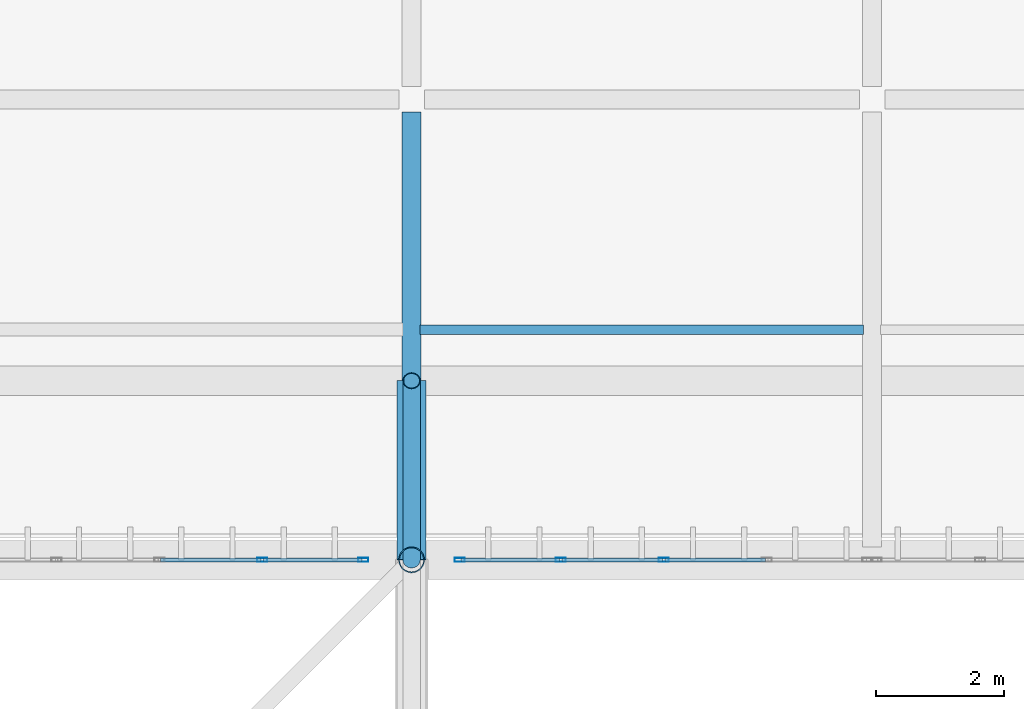
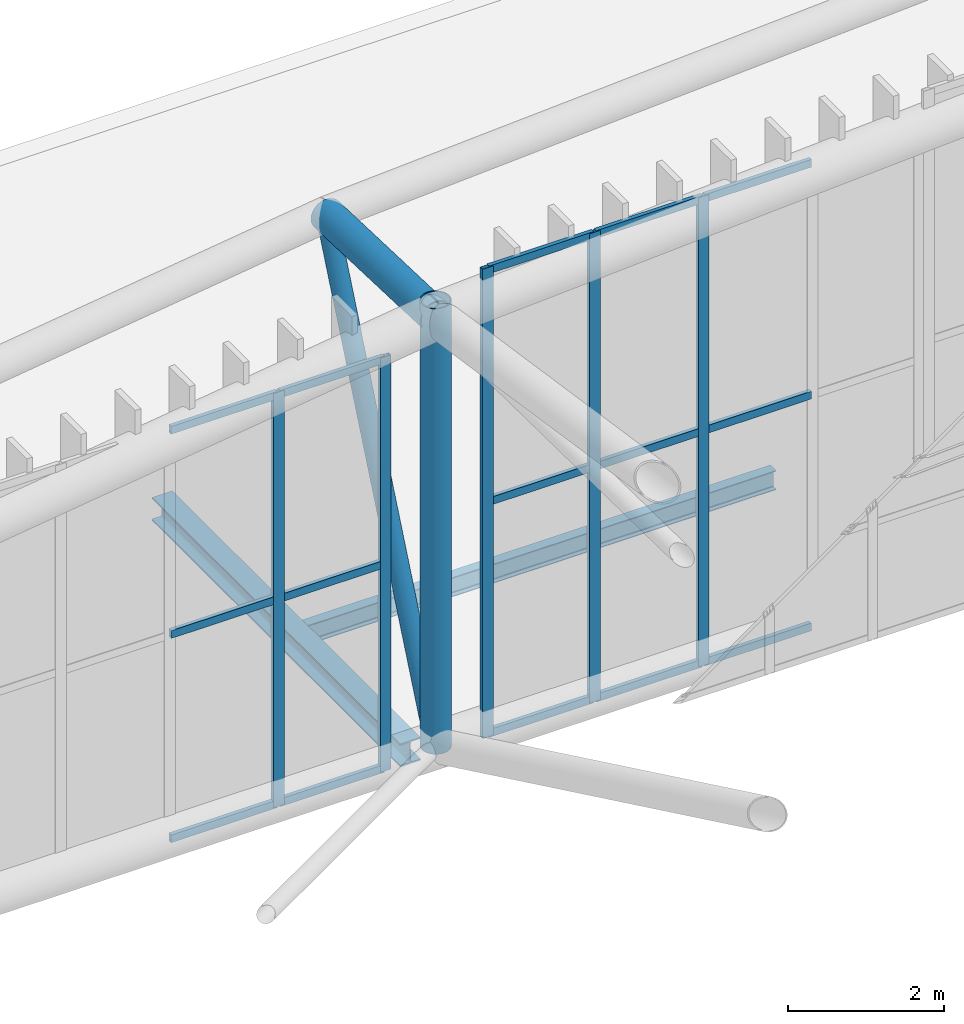
# One storey, part 258 of 397: 22 members, 3 beams, 2 elements without a shape of their own.
"""IFC4 building model written with IfcOpenShell, lengths in metres."""

from ifc_helpers import new_model, si_unit, direction, frame, origin, origin_2d, place, context, subcontext, project, spatial, hollow_rectangle, hollow_circle, i_section, extrude, material, material_profile, profile_set, type_object, element, aggregate, save


model = new_model("IFC4")

# Units and contexts
model_context = context("Model", 3, precision=1e-05, world=origin(), true_north=direction((0.0, 1.0)))
body_context = subcontext(model_context, "Body", "Model", "MODEL_VIEW")
ifc_project = project(units=[si_unit("LENGTHUNIT", "METRE"), si_unit("AREAUNIT", "SQUARE_METRE"), si_unit("VOLUMEUNIT", "CUBIC_METRE"), si_unit("PLANEANGLEUNIT", "RADIAN"), si_unit("MASSUNIT", "GRAM", prefix="KILO")], contexts=[model_context])

# Site, building, storey
site_placement = place(None, origin())
site = spatial("IfcSite", under=ifc_project, at=site_placement, CompositionType="ELEMENT")
building_placement = place(site_placement, origin())
building = spatial("IfcBuilding", under=site, at=building_placement, Name="Qandorah Velis Arena", CompositionType="ELEMENT")
storey_placement = place(building_placement, frame((0.0, 0.0, 27.5)))
storey = spatial("IfcBuildingStorey", under=building, at=storey_placement, Name="RF", CompositionType="ELEMENT", Elevation=27.5)

# Curtain wall, members
ifc_material_1 = material(Name="Solar-control low-E double glazing", Category="glass")
curtain_wall_type = type_object("IfcCurtainWallType", Name="ARC-CW-SYS03", PredefinedType="USERDEFINED", material=ifc_material_1)
curtain_wall_1_placement = place(storey_placement, origin())
curtain_wall_1 = element("IfcCurtainWall", 1, at=curtain_wall_1_placement, inside=storey, type_object=curtain_wall_type, Name="Unitised curtain wall CROWN-4-02S2", ObjectType="UNITISED CURTAIN WALL", PredefinedType="USERDEFINED")
ifc_material_2 = material(Name="Champagne-bronze anodized aluminium 6063-T6", Category="aluminium")
ifc_material_profile_1 = material_profile(ifc_material_2, hollow_rectangle(XDim=0.06005859375, YDim=0.159912109375, WallThickness=0.00341796875, at=origin_2d()), Name="ALU MULLION 60x160")
ifc_profile_set_1 = profile_set([ifc_material_profile_1], Name="Champagne-bronze anodized aluminium 6063-T6")
member_type_1 = type_object("IfcMemberType", Name="ARC-CWM-160", PredefinedType="MULLION", material=ifc_profile_set_1)
member_1_placement = place(storey_placement, frame((40.8662109375, 115.199951171875, -0.014892578125), z_axis=(0.0, 0.0, 1.0), x_axis=(0.0, 1.0, 0.0)))
member_1 = element("IfcMember", 2, at=member_1_placement, type_object=member_type_1, Name="CW03 mullion 4", PredefinedType="MULLION", context=body_context, shape_type="SweptSolid", body=[
    extrude(hollow_rectangle(XDim=0.06005859375, YDim=0.159912109375, WallThickness=0.00341796875, at=origin_2d()), origin(), (0.0, 0.0, 1.0), 6.469482421875),
])
member_2_placement = place(storey_placement, frame((42.445068359375, 115.199951171875, -0.014892578125), z_axis=(0.0, 0.0, 1.0), x_axis=(0.0, 1.0, 0.0)))
member_2 = element("IfcMember", 3, at=member_2_placement, type_object=member_type_1, Name="CW03 mullion 5", PredefinedType="MULLION", context=body_context, shape_type="SweptSolid", body=[
    extrude(hollow_rectangle(XDim=0.06005859375, YDim=0.159912109375, WallThickness=0.00341796875, at=origin_2d()), origin(), (0.0, 0.0, 1.0), 6.469482421875),
])

curtain_wall_2_placement = place(storey_placement, origin())
curtain_wall_2 = element("IfcCurtainWall", 4, at=curtain_wall_2_placement, inside=storey, type_object=curtain_wall_type, Name="Unitised curtain wall CROWN-4-03S1", ObjectType="UNITISED CURTAIN WALL", PredefinedType="USERDEFINED")
member_3_placement = place(storey_placement, frame((43.955078125, 115.199951171875, -0.014892578125), z_axis=(0.0, 0.0, 1.0), x_axis=(0.0, 1.0, 0.0)))
member_3 = element("IfcMember", 5, at=member_3_placement, type_object=member_type_1, Name="CW03 mullion 1", PredefinedType="MULLION", context=body_context, shape_type="SweptSolid", body=[
    extrude(hollow_rectangle(XDim=0.06005859375, YDim=0.159912109375, WallThickness=0.00341796875, at=origin_2d()), origin(), (0.0, 0.0, 1.0), 7.32958984375),
])
member_4_placement = place(storey_placement, frame((45.53369140625, 115.199951171875, -0.014892578125), z_axis=(0.0, 0.0, 1.0), x_axis=(0.0, 1.0, 0.0)))
member_4 = element("IfcMember", 6, at=member_4_placement, type_object=member_type_1, Name="CW03 mullion 2", PredefinedType="MULLION", context=body_context, shape_type="SweptSolid", body=[
    extrude(hollow_rectangle(XDim=0.06005859375, YDim=0.159912109375, WallThickness=0.00341796875, at=origin_2d()), origin(), (0.0, 0.0, 1.0), 7.32958984375),
])
member_5_placement = place(storey_placement, frame((47.142578125, 115.199951171875, -0.014892578125), z_axis=(0.0, 0.0, 1.0), x_axis=(0.0, 1.0, 0.0)))
member_5 = element("IfcMember", 7, at=member_5_placement, type_object=member_type_1, Name="CW03 mullion 3", PredefinedType="MULLION", context=body_context, shape_type="SweptSolid", body=[
    extrude(hollow_rectangle(XDim=0.06005859375, YDim=0.159912109375, WallThickness=0.00341796875, at=origin_2d()), origin(), (0.0, 0.0, 1.0), 7.32958984375),
])

# Member
ifc_material_profile_2 = material_profile(ifc_material_2, hollow_rectangle(XDim=0.06005859375, YDim=0.1201171875, WallThickness=0.0029296875, at=origin_2d()), Name="ALU TRANSOM 60x120")
ifc_profile_set_2 = profile_set([ifc_material_profile_2], Name="Champagne-bronze anodized aluminium 6063-T6")
member_type_2 = type_object("IfcMemberType", Name="ARC-CWT-120", PredefinedType="USERDEFINED", material=ifc_profile_set_2)
member_6_placement = place(storey_placement, frame((39.275390625, 115.199951171875, 0.030029296875), z_axis=(1.0, 0.0, 0.0), x_axis=(0.0, 1.0, 0.0)))
member_6 = element("IfcMember", 8, at=member_6_placement, type_object=member_type_2, Name="CW03 transom 3.1", ObjectType="TRANSOM", PredefinedType="USERDEFINED", context=body_context, shape_type="SweptSolid", body=[
    extrude(hollow_rectangle(XDim=0.06005859375, YDim=0.1201171875, WallThickness=0.0029296875, at=origin_2d()), origin(), (0.0, 0.0, 1.0), 1.572998046875),
])

member_7_placement = place(storey_placement, frame((39.275390625, 115.199951171875, 3.219970703125), z_axis=(1.0, 0.0, 0.0), x_axis=(0.0, 1.0, 0.0)))
member_7 = element("IfcMember", 9, at=member_7_placement, type_object=member_type_2, Name="CW03 transom 3.2", ObjectType="TRANSOM", PredefinedType="USERDEFINED", context=body_context, shape_type="SweptSolid", body=[
    extrude(hollow_rectangle(XDim=0.06005859375, YDim=0.1201171875, WallThickness=0.0029296875, at=origin_2d()), origin(), (0.0, 0.0, 1.0), 1.572998046875),
])

member_8_placement = place(storey_placement, frame((39.275390625, 115.199951171875, 6.40966796875), z_axis=(1.0, 0.0, 0.0), x_axis=(0.0, 1.0, 0.0)))
member_8 = element("IfcMember", 10, at=member_8_placement, type_object=member_type_2, Name="CW03 transom 3.3", ObjectType="TRANSOM", PredefinedType="USERDEFINED", context=body_context, shape_type="SweptSolid", body=[
    extrude(hollow_rectangle(XDim=0.06005859375, YDim=0.1201171875, WallThickness=0.0029296875, at=origin_2d()), origin(), (0.0, 0.0, 1.0), 1.572998046875),
])

member_9_placement = place(storey_placement, frame((40.88427734375, 115.199951171875, 0.030029296875), z_axis=(1.0, 0.0, 0.0), x_axis=(0.0, 1.0, 0.0)))
member_9 = element("IfcMember", 11, at=member_9_placement, type_object=member_type_2, Name="CW03 transom 4.1", ObjectType="TRANSOM", PredefinedType="USERDEFINED", context=body_context, shape_type="SweptSolid", body=[
    extrude(hollow_rectangle(XDim=0.06005859375, YDim=0.1201171875, WallThickness=0.0029296875, at=origin_2d()), origin(), (0.0, 0.0, 1.0), 1.542724609375),
])

member_10_placement = place(storey_placement, frame((40.88427734375, 115.199951171875, 3.219970703125), z_axis=(1.0, 0.0, 0.0), x_axis=(0.0, 1.0, 0.0)))
member_10 = element("IfcMember", 12, at=member_10_placement, type_object=member_type_2, Name="CW03 transom 4.2", ObjectType="TRANSOM", PredefinedType="USERDEFINED", context=body_context, shape_type="SweptSolid", body=[
    extrude(hollow_rectangle(XDim=0.06005859375, YDim=0.1201171875, WallThickness=0.0029296875, at=origin_2d()), origin(), (0.0, 0.0, 1.0), 1.542724609375),
])

member_11_placement = place(storey_placement, frame((40.88427734375, 115.199951171875, 6.40966796875), z_axis=(1.0, 0.0, 0.0), x_axis=(0.0, 1.0, 0.0)))
member_11 = element("IfcMember", 13, at=member_11_placement, type_object=member_type_2, Name="CW03 transom 4.3", ObjectType="TRANSOM", PredefinedType="USERDEFINED", context=body_context, shape_type="SweptSolid", body=[
    extrude(hollow_rectangle(XDim=0.06005859375, YDim=0.1201171875, WallThickness=0.0029296875, at=origin_2d()), origin(), (0.0, 0.0, 1.0), 1.542724609375),
])

aggregate(curtain_wall_1, [member_1, member_2, member_6, member_7, member_8, member_9, member_10, member_11])

member_12_placement = place(storey_placement, frame((43.972900390625, 115.199951171875, 0.030029296875), z_axis=(1.0, 0.0, 0.0), x_axis=(0.0, 1.0, 0.0)))
member_12 = element("IfcMember", 14, at=member_12_placement, type_object=member_type_2, Name="CW03 transom 1.1", ObjectType="TRANSOM", PredefinedType="USERDEFINED", context=body_context, shape_type="SweptSolid", body=[
    extrude(hollow_rectangle(XDim=0.06005859375, YDim=0.1201171875, WallThickness=0.0029296875, at=origin_2d()), origin(), (0.0, 0.0, 1.0), 1.542724609375),
])

member_13_placement = place(storey_placement, frame((43.972900390625, 115.199951171875, 3.64990234375), z_axis=(1.0, 0.0, 0.0), x_axis=(0.0, 1.0, 0.0)))
member_13 = element("IfcMember", 15, at=member_13_placement, type_object=member_type_2, Name="CW03 transom 1.2", ObjectType="TRANSOM", PredefinedType="USERDEFINED", context=body_context, shape_type="SweptSolid", body=[
    extrude(hollow_rectangle(XDim=0.06005859375, YDim=0.1201171875, WallThickness=0.0029296875, at=origin_2d()), origin(), (0.0, 0.0, 1.0), 1.542724609375),
])

member_14_placement = place(storey_placement, frame((43.972900390625, 115.199951171875, 7.269775390625), z_axis=(1.0, 0.0, 0.0), x_axis=(0.0, 1.0, 0.0)))
member_14 = element("IfcMember", 16, at=member_14_placement, type_object=member_type_2, Name="CW03 transom 1.3", ObjectType="TRANSOM", PredefinedType="USERDEFINED", context=body_context, shape_type="SweptSolid", body=[
    extrude(hollow_rectangle(XDim=0.06005859375, YDim=0.1201171875, WallThickness=0.0029296875, at=origin_2d()), origin(), (0.0, 0.0, 1.0), 1.542724609375),
])

member_15_placement = place(storey_placement, frame((45.5517578125, 115.199951171875, 0.030029296875), z_axis=(1.0, 0.0, 0.0), x_axis=(0.0, 1.0, 0.0)))
member_15 = element("IfcMember", 17, at=member_15_placement, type_object=member_type_2, Name="CW03 transom 2.1", ObjectType="TRANSOM", PredefinedType="USERDEFINED", context=body_context, shape_type="SweptSolid", body=[
    extrude(hollow_rectangle(XDim=0.06005859375, YDim=0.1201171875, WallThickness=0.0029296875, at=origin_2d()), origin(), (0.0, 0.0, 1.0), 1.57275390625),
])

member_16_placement = place(storey_placement, frame((45.5517578125, 115.199951171875, 3.64990234375), z_axis=(1.0, 0.0, 0.0), x_axis=(0.0, 1.0, 0.0)))
member_16 = element("IfcMember", 18, at=member_16_placement, type_object=member_type_2, Name="CW03 transom 2.2", ObjectType="TRANSOM", PredefinedType="USERDEFINED", context=body_context, shape_type="SweptSolid", body=[
    extrude(hollow_rectangle(XDim=0.06005859375, YDim=0.1201171875, WallThickness=0.0029296875, at=origin_2d()), origin(), (0.0, 0.0, 1.0), 1.57275390625),
])

member_17_placement = place(storey_placement, frame((45.5517578125, 115.199951171875, 7.269775390625), z_axis=(1.0, 0.0, 0.0), x_axis=(0.0, 1.0, 0.0)))
member_17 = element("IfcMember", 19, at=member_17_placement, type_object=member_type_2, Name="CW03 transom 2.3", ObjectType="TRANSOM", PredefinedType="USERDEFINED", context=body_context, shape_type="SweptSolid", body=[
    extrude(hollow_rectangle(XDim=0.06005859375, YDim=0.1201171875, WallThickness=0.0029296875, at=origin_2d()), origin(), (0.0, 0.0, 1.0), 1.57275390625),
])

member_18_placement = place(storey_placement, frame((47.160400390625, 115.199951171875, 0.030029296875), z_axis=(1.0, 0.0, 0.0), x_axis=(0.0, 1.0, 0.0)))
member_18 = element("IfcMember", 20, at=member_18_placement, type_object=member_type_2, Name="CW03 transom 3.1", ObjectType="TRANSOM", PredefinedType="USERDEFINED", context=body_context, shape_type="SweptSolid", body=[
    extrude(hollow_rectangle(XDim=0.06005859375, YDim=0.1201171875, WallThickness=0.0029296875, at=origin_2d()), origin(), (0.0, 0.0, 1.0), 1.57275390625),
])

member_19_placement = place(storey_placement, frame((47.160400390625, 115.199951171875, 3.64990234375), z_axis=(1.0, 0.0, 0.0), x_axis=(0.0, 1.0, 0.0)))
member_19 = element("IfcMember", 21, at=member_19_placement, type_object=member_type_2, Name="CW03 transom 3.2", ObjectType="TRANSOM", PredefinedType="USERDEFINED", context=body_context, shape_type="SweptSolid", body=[
    extrude(hollow_rectangle(XDim=0.06005859375, YDim=0.1201171875, WallThickness=0.0029296875, at=origin_2d()), origin(), (0.0, 0.0, 1.0), 1.57275390625),
])

member_20_placement = place(storey_placement, frame((47.160400390625, 115.199951171875, 7.269775390625), z_axis=(1.0, 0.0, 0.0), x_axis=(0.0, 1.0, 0.0)))
member_20 = element("IfcMember", 22, at=member_20_placement, type_object=member_type_2, Name="CW03 transom 3.3", ObjectType="TRANSOM", PredefinedType="USERDEFINED", context=body_context, shape_type="SweptSolid", body=[
    extrude(hollow_rectangle(XDim=0.06005859375, YDim=0.1201171875, WallThickness=0.0029296875, at=origin_2d()), origin(), (0.0, 0.0, 1.0), 1.57275390625),
])

aggregate(curtain_wall_2, [member_3, member_4, member_5, member_12, member_13, member_14, member_15, member_16, member_17, member_18, member_19, member_20])

# Beams
ifc_material_3 = material(Name="Steel S355", Category="steel")
ifc_material_profile_3 = material_profile(ifc_material_3, i_section(OverallWidth=0.300048828125, OverallDepth=0.360107421875, WebThickness=0.012451171875, FlangeThickness=0.0224609375, FilletRadius=0.027099609375, at=origin_2d()), Name="HEB 360")
ifc_profile_set_3 = profile_set([ifc_material_profile_3], Name="Steel S355")
beam_type_1 = type_object("IfcBeamType", Name="STR-BM-HEB360", PredefinedType="BEAM", material=ifc_profile_set_3)
beam_1_placement = place(storey_placement, frame((43.199951171875, 115.85009765625, -0.39990234375), z_axis=(0.0, 1.0, 0.0), x_axis=(-1.0, 0.0, 0.0)))
element("IfcBeam", 23, at=beam_1_placement, inside=storey, type_object=beam_type_1, Name="Primary floor girder RF Y-097", PredefinedType="BEAM", context=body_context, shape_type="SweptSolid", body=[
    extrude(i_section(OverallWidth=0.300048828125, OverallDepth=0.360107421875, WebThickness=0.012451171875, FlangeThickness=0.0224609375, FilletRadius=0.027099609375, at=origin_2d()), origin(), (0.0, 0.0, 1.0), 6.349853515625),
])
ifc_material_profile_4 = material_profile(ifc_material_3, i_section(OverallWidth=0.14990234375, OverallDepth=0.300048828125, WebThickness=0.007080078125, FlangeThickness=0.0107421875, FilletRadius=0.014892578125, at=origin_2d()), Name="IPE 300")
ifc_profile_set_4 = profile_set([ifc_material_profile_4], Name="Steel S355")
beam_type_2 = type_object("IfcBeamType", Name="STR-JST-IPE300", PredefinedType="JOIST", material=ifc_profile_set_4)
beam_2_placement = place(storey_placement, frame((43.3349609375, 118.800048828125, -0.3701171875), z_axis=(1.0, 0.0, 0.0), x_axis=(0.0, 1.0, 0.0)))
element("IfcBeam", 24, at=beam_2_placement, inside=storey, type_object=beam_type_2, Name="Secondary floor joist RF-023", PredefinedType="JOIST", context=body_context, shape_type="SweptSolid", body=[
    extrude(i_section(OverallWidth=0.14990234375, OverallDepth=0.300048828125, WebThickness=0.007080078125, FlangeThickness=0.0107421875, FilletRadius=0.014892578125, at=origin_2d()), origin(), (0.0, 0.0, 1.0), 6.929931640625),
])
ifc_material_profile_5 = material_profile(ifc_material_3, hollow_circle(Radius=0.228515625, WallThickness=0.01611328125, at=origin_2d()), Name="CHS 457x16")
ifc_profile_set_5 = profile_set([ifc_material_profile_5], Name="Steel S355")
beam_type_3 = type_object("IfcBeamType", Name="STR-SFC-CHS457X16", PredefinedType="USERDEFINED", material=ifc_profile_set_5)
beam_3_placement = place(storey_placement, frame((43.199951171875, 115.199951171875, 6.79931640625), z_axis=(0.0, 0.99936163275, -0.035725718844), x_axis=(-1.0, 0.0, 0.0)))
element("IfcBeam", 25, at=beam_3_placement, inside=storey, type_object=beam_type_3, Name="Space frame eave outrigger N-2", ObjectType="ROOF TRUSS", PredefinedType="USERDEFINED", context=body_context, shape_type="SweptSolid", body=[
    extrude(hollow_circle(Radius=0.228515625, WallThickness=0.01611328125, at=origin_2d()), origin(), (0.0, 0.0, 1.0), 2.8017578125),
])

# Members
ifc_material_profile_6 = material_profile(ifc_material_3, hollow_circle(Radius=0.136474609375, WallThickness=0.012451171875, at=origin_2d()), Name="CHS 273x12.5")
ifc_profile_set_6 = profile_set([ifc_material_profile_6], Name="Steel S355")
member_type_3 = type_object("IfcMemberType", Name="STR-SFD-CHS273X12", PredefinedType="STRUT", material=ifc_profile_set_6)
member_21_placement = place(storey_placement, frame((43.199951171875, 115.199951171875, 0.10009765625), z_axis=(0.0, 0.390599699366, 0.920560630733), x_axis=(-1.0, 0.0, 0.0)))
element("IfcMember", 26, at=member_21_placement, inside=storey, type_object=member_type_3, Name="Space frame eave raking strut N-2", PredefinedType="STRUT", context=body_context, shape_type="SweptSolid", body=[
    extrude(hollow_circle(Radius=0.136474609375, WallThickness=0.012451171875, at=origin_2d()), origin(), (0.0, 0.0, 1.0), 7.168701171875),
])
ifc_material_profile_7 = material_profile(ifc_material_3, hollow_circle(Radius=0.203125, WallThickness=0.01611328125, at=origin_2d()), Name="CHS 406.4x16")
ifc_profile_set_7 = profile_set([ifc_material_profile_7], Name="Steel S355")
member_type_4 = type_object("IfcMemberType", Name="STR-SFD-CHS406X16", PredefinedType="STRUT", material=ifc_profile_set_7)
member_22_placement = place(storey_placement, frame((43.199951171875, 115.199951171875, 0.10009765625), z_axis=(0.0, 0.0, 1.0), x_axis=(1.0, 0.0, 0.0)))
element("IfcMember", 27, at=member_22_placement, inside=storey, type_object=member_type_4, Name="Space frame roof vertical post 2.7", PredefinedType="STRUT", context=body_context, shape_type="SweptSolid", body=[
    extrude(hollow_circle(Radius=0.203125, WallThickness=0.01611328125, at=origin_2d()), origin(), (0.0, 0.0, 1.0), 6.958984375),
])

save(model, "model.ifc")
